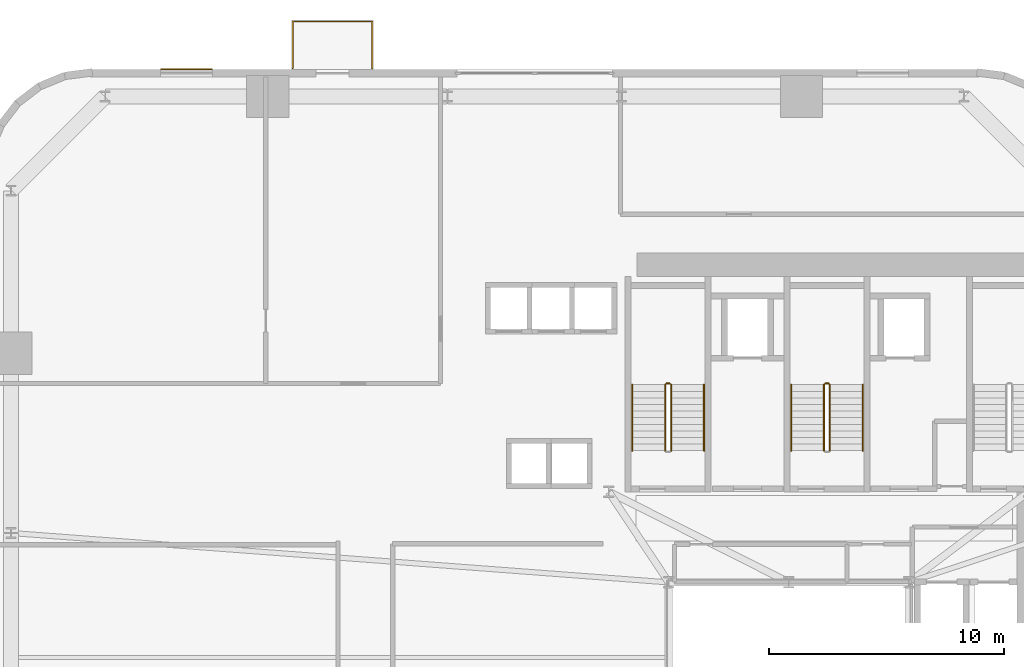
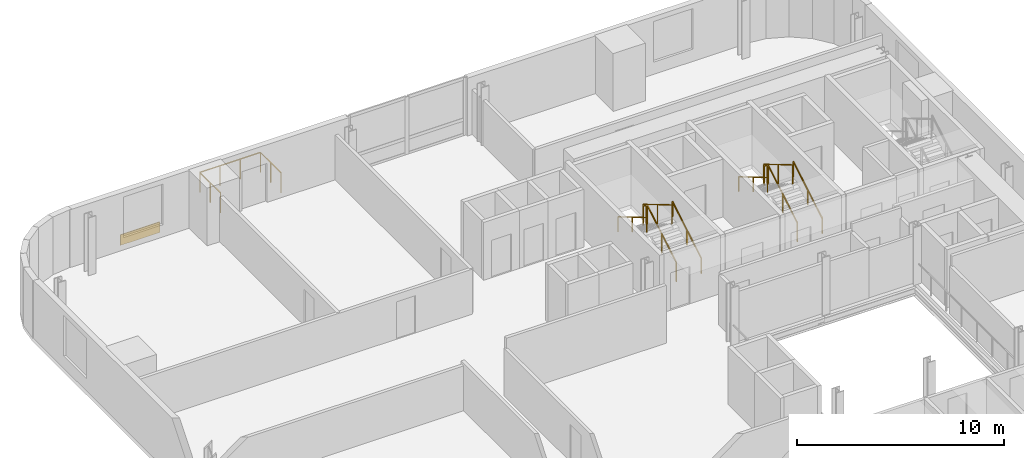
# One storey, part 12 of 13: 11 railings, 1 covering.
"""IFC4 building model written with IfcOpenShell, lengths in metres."""

from ifc_helpers import new_model, si_unit, direction, frame, origin, origin_2d, place, context, subcontext, project, spatial, rectangle, extrude, source, transform, mapped, material, layer, layer_set, type_object, element, save


model = new_model("IFC4")

# Units and contexts
model_context = context("Model", 3, precision=1e-05, world=origin(), true_north=direction((0.0, 1.0)))
body_context = subcontext(model_context, "Body", "Model", "MODEL_VIEW")
ifc_project = project(units=[si_unit("LENGTHUNIT", "METRE"), si_unit("AREAUNIT", "SQUARE_METRE"), si_unit("VOLUMEUNIT", "CUBIC_METRE"), si_unit("PLANEANGLEUNIT", "RADIAN"), si_unit("MASSUNIT", "GRAM", prefix="KILO")], contexts=[model_context])

# Site, building, storey
site_placement = place(None, origin())
site = spatial("IfcSite", under=ifc_project, at=site_placement, CompositionType="ELEMENT")
building_placement = place(site_placement, origin())
building = spatial("IfcBuilding", under=site, at=building_placement, Name="Vardaveli Station Tower", CompositionType="ELEMENT")
storey_placement = place(building_placement, frame((0.0, 0.0, 82.35009765625)))
storey = spatial("IfcBuildingStorey", under=building, at=storey_placement, Name="L21", CompositionType="ELEMENT", Elevation=82.35009765625)

# Covering
ifc_material_1 = material(Name="Ventilated honed travertine stone cladding", Category="masonry")
ifc_layer = layer(ifc_material_1, 0.044921875, Name="Ventilated honed travertine stone cladding")
ifc_layer_set = layer_set([ifc_layer], Name="Ventilated honed travertine stone cladding")
covering_type = type_object("IfcCoveringType", Name="COV-CLAD-TR45", PredefinedType="CLADDING", material=ifc_layer_set)
shared_shape_1 = source(origin(), body_context, "Body", "SweptSolid", [
    extrude(rectangle(XDim=2.199951171875, YDim=0.044921875, at=origin_2d()), origin(), (0.0, 0.0, 1.0), 0.6201171875),
])
covering_placement = place(storey_placement, frame((10.705078125, 48.614501953125, 0.06982421875), z_axis=(0.0, 0.0, 1.0), x_axis=(1.0, 0.0, 0.0)))
element("IfcCovering", 1, at=covering_placement, inside=storey, type_object=covering_type, Name="CLD-TR-L21-N", PredefinedType="CLADDING", context=body_context, shape_type="MappedRepresentation", body=[
    mapped(shared_shape_1, transform((0.0, 0.0, 0.0), scale=1.0)),
])

# Railings
ifc_material_2 = material(Name="Laminated glass and stainless steel balustrade", Category="steel")
railing_type_1 = type_object("IfcRailingType", Name="RL-BAL-1200", PredefinedType="BALUSTRADE", material=ifc_material_2)
shared_shape_2 = source(origin(), body_context, "Body", "SweptSolid", [
    extrude(rectangle(XDim=0.048095703125, YDim=0.048095703125, at=origin_2d()), frame((0.0, 0.0, 1.17578125), z_axis=(0.0, 1.0, 0.0), x_axis=(-1.0, 0.0, 0.0)), (0.0, 0.0, 1.0), 2.0),
    extrude(rectangle(XDim=0.048095703125, YDim=0.048095703125, at=origin_2d()), frame((0.0, 2.0, 1.17578125), z_axis=(1.0, 0.0, 0.0), x_axis=(0.0, 1.0, 0.0)), (0.0, 0.0, 1.0), 3.3798828125),
    extrude(rectangle(XDim=0.048095703125, YDim=0.048095703125, at=origin_2d()), frame((3.3798828125, 2.0, 1.17578125), z_axis=(0.0, -1.0, 0.0), x_axis=(1.0, 0.0, 0.0)), (0.0, 0.0, 1.0), 2.0),
    extrude(rectangle(XDim=0.0419921875, YDim=0.0419921875, at=origin_2d()), origin(), (0.0, 0.0, 1.0), 1.15185546875),
    extrude(rectangle(XDim=0.0419921875, YDim=0.0419921875, at=origin_2d()), frame((0.0, 1.0, 0.0)), (0.0, 0.0, 1.0), 1.15185546875),
    extrude(rectangle(XDim=0.0419921875, YDim=0.0419921875, at=origin_2d()), frame((0.0, 2.0, 0.0)), (0.0, 0.0, 1.0), 1.15185546875),
    extrude(rectangle(XDim=0.0419921875, YDim=0.0419921875, at=origin_2d()), frame((1.126708984375, 2.0, 0.0)), (0.0, 0.0, 1.0), 1.15185546875),
    extrude(rectangle(XDim=0.0419921875, YDim=0.0419921875, at=origin_2d()), frame((2.253173828125, 2.0, 0.0)), (0.0, 0.0, 1.0), 1.15185546875),
    extrude(rectangle(XDim=0.0419921875, YDim=0.0419921875, at=origin_2d()), frame((3.3798828125, 2.0, 0.0)), (0.0, 0.0, 1.0), 1.15185546875),
    extrude(rectangle(XDim=0.0419921875, YDim=0.0419921875, at=origin_2d()), frame((3.3798828125, 1.0, 0.0)), (0.0, 0.0, 1.0), 1.15185546875),
    extrude(rectangle(XDim=0.0419921875, YDim=0.0419921875, at=origin_2d()), frame((3.3798828125, 0.0, 0.0)), (0.0, 0.0, 1.0), 1.15185546875),
])
railing_placement = place(storey_placement, frame((15.220458984375, 48.639892578125, 0.0)))
element("IfcRailing", 2, at=railing_placement, inside=storey, type_object=railing_type_1, Name="RL-LOG-L21-02", PredefinedType="BALUSTRADE", context=body_context, shape_type="MappedRepresentation", body=[
    mapped(shared_shape_2, transform((0.0, 0.0, 0.0), scale=1.0)),
])
ifc_material_3 = material(Name="Brushed AISI 316 stainless steel", Category="steel")
railing_type_2 = type_object("IfcRailingType", Name="RL-GUARD-1150", PredefinedType="GUARDRAIL", material=ifc_material_3)
shared_shape_3 = source(origin(), body_context, "Body", "SweptSolid", [
    extrude(rectangle(XDim=0.048095703125, YDim=0.048095703125, at=origin_2d()), frame((0.0, 0.0, 1.1259765625), z_axis=(-1.0, 0.0, 0.0), x_axis=(0.0, -1.0, 0.0)), (0.0, 0.0, 1.0), 0.14990234375),
    extrude(rectangle(XDim=0.0419921875, YDim=0.0419921875, at=origin_2d()), origin(), (0.0, 0.0, 1.0), 1.101806640625),
    extrude(rectangle(XDim=0.0419921875, YDim=0.0419921875, at=origin_2d()), frame((-0.14990234375, 0.0, 0.0)), (0.0, 0.0, 1.0), 1.101806640625),
])
for number, where, name in (
    (3, (31.25, 35.25, 1.824951171875), "L21 ST-1 stair guard 2"),
    (4, (38.0, 35.25, 1.824951171875), "L21 ST-2 stair guard 2"),
):
    element("IfcRailing", number, at=place(storey_placement, frame(where)), inside=storey, type_object=railing_type_2, Name=name, PredefinedType="GUARDRAIL", context=body_context, shape_type="MappedRepresentation", body=[
        mapped(shared_shape_3, transform((0.0, 0.0, 0.0), scale=1.0)),
    ])
shared_shape_4 = source(origin(), body_context, "Body", "SweptSolid", [
    extrude(rectangle(XDim=0.048095703125, YDim=0.048095703125, at=origin_2d()), frame((0.0, 0.0, 1.1259765625), z_axis=(0.0, 0.860306154799, 0.50977771628), x_axis=(-1.0, 0.0, 0.0)), (0.0, 0.0, 1.0), 3.254638671875),
    extrude(rectangle(XDim=0.0419921875, YDim=0.0419921875, at=origin_2d()), origin(), (0.0, 0.0, 1.0), 1.101806640625),
    extrude(rectangle(XDim=0.0419921875, YDim=0.0419921875, at=origin_2d()), frame((0.0, 1.39990234375, 0.82958984375)), (0.0, 0.0, 1.0), 1.101806640625),
    extrude(rectangle(XDim=0.0419921875, YDim=0.0419921875, at=origin_2d()), frame((0.0, 2.800048828125, 1.6591796875)), (0.0, 0.0, 1.0), 1.101806640625),
])
for number, where, name in (
    (5, (31.300048828125, 32.39990234375, 0.165771484375), "L21 ST-1 stair guard 1"),
    (6, (38.050048828125, 32.39990234375, 0.165771484375), "L21 ST-2 stair guard 1"),
):
    element("IfcRailing", number, at=place(storey_placement, frame(where)), inside=storey, type_object=railing_type_2, Name=name, PredefinedType="GUARDRAIL", context=body_context, shape_type="MappedRepresentation", body=[
        mapped(shared_shape_4, transform((0.0, 0.0, 0.0), scale=1.0)),
    ])
shared_shape_5 = source(origin(), body_context, "Body", "SweptSolid", [
    extrude(rectangle(XDim=0.048095703125, YDim=0.048095703125, at=origin_2d()), frame((0.0, 0.0, 1.1259765625), z_axis=(0.0, -0.860306154799, 0.50977771628), x_axis=(1.0, 0.0, 0.0)), (0.0, 0.0, 1.0), 3.254638671875),
    extrude(rectangle(XDim=0.0419921875, YDim=0.0419921875, at=origin_2d()), origin(), (0.0, 0.0, 1.0), 1.101806640625),
    extrude(rectangle(XDim=0.0419921875, YDim=0.0419921875, at=origin_2d()), frame((0.0, -1.39990234375, 0.82958984375)), (0.0, 0.0, 1.0), 1.101806640625),
    extrude(rectangle(XDim=0.0419921875, YDim=0.0419921875, at=origin_2d()), frame((0.0, -2.800048828125, 1.6591796875)), (0.0, 0.0, 1.0), 1.101806640625),
])
for number, where, name in (
    (7, (31.050048828125, 35.199951171875, 1.99072265625), "L21 ST-1 stair guard 3"),
    (8, (37.800048828125, 35.199951171875, 1.99072265625), "L21 ST-2 stair guard 3"),
):
    element("IfcRailing", number, at=place(storey_placement, frame(where)), inside=storey, type_object=railing_type_2, Name=name, PredefinedType="GUARDRAIL", context=body_context, shape_type="MappedRepresentation", body=[
        mapped(shared_shape_5, transform((0.0, 0.0, 0.0), scale=1.0)),
    ])
railing_type_3 = type_object("IfcRailingType", Name="RL-HAND-900", PredefinedType="HANDRAIL", material=ifc_material_3)
shared_shape_6 = source(origin(), body_context, "Body", "SweptSolid", [
    extrude(rectangle(XDim=0.048095703125, YDim=0.048095703125, at=origin_2d()), frame((0.0, 0.0, 0.8759765625), z_axis=(0.0, 0.860306154799, 0.50977771628), x_axis=(-1.0, 0.0, 0.0)), (0.0, 0.0, 1.0), 3.254638671875),
    extrude(rectangle(XDim=0.0419921875, YDim=0.0419921875, at=origin_2d()), origin(), (0.0, 0.0, 1.0), 0.851806640625),
    extrude(rectangle(XDim=0.0419921875, YDim=0.0419921875, at=origin_2d()), frame((0.0, 1.39990234375, 0.82958984375)), (0.0, 0.0, 1.0), 0.851806640625),
    extrude(rectangle(XDim=0.0419921875, YDim=0.0419921875, at=origin_2d()), frame((0.0, 2.800048828125, 1.6591796875)), (0.0, 0.0, 1.0), 0.851806640625),
])
for number, where, name in (
    (9, (32.699951171875, 32.39990234375, 0.165771484375), "L21 ST-1 stair handrail 1"),
    (10, (39.449951171875, 32.39990234375, 0.165771484375), "L21 ST-2 stair handrail 1"),
):
    element("IfcRailing", number, at=place(storey_placement, frame(where)), inside=storey, type_object=railing_type_3, Name=name, PredefinedType="HANDRAIL", context=body_context, shape_type="MappedRepresentation", body=[
        mapped(shared_shape_6, transform((0.0, 0.0, 0.0), scale=1.0)),
    ])
shared_shape_7 = source(origin(), body_context, "Body", "SweptSolid", [
    extrude(rectangle(XDim=0.048095703125, YDim=0.048095703125, at=origin_2d()), frame((0.0, 0.0, 0.8759765625), z_axis=(0.0, -0.860306154799, 0.50977771628), x_axis=(1.0, 0.0, 0.0)), (0.0, 0.0, 1.0), 3.254638671875),
    extrude(rectangle(XDim=0.0419921875, YDim=0.0419921875, at=origin_2d()), origin(), (0.0, 0.0, 1.0), 0.851806640625),
    extrude(rectangle(XDim=0.0419921875, YDim=0.0419921875, at=origin_2d()), frame((0.0, -1.39990234375, 0.82958984375)), (0.0, 0.0, 1.0), 0.851806640625),
    extrude(rectangle(XDim=0.0419921875, YDim=0.0419921875, at=origin_2d()), frame((0.0, -2.800048828125, 1.6591796875)), (0.0, 0.0, 1.0), 0.851806640625),
])
for number, where, name in (
    (11, (29.64990234375, 35.199951171875, 1.99072265625), "L21 ST-1 stair handrail 2"),
    (12, (36.39990234375, 35.199951171875, 1.99072265625), "L21 ST-2 stair handrail 2"),
):
    element("IfcRailing", number, at=place(storey_placement, frame(where)), inside=storey, type_object=railing_type_3, Name=name, PredefinedType="HANDRAIL", context=body_context, shape_type="MappedRepresentation", body=[
        mapped(shared_shape_7, transform((0.0, 0.0, 0.0), scale=1.0)),
    ])

save(model, "model.ifc")
